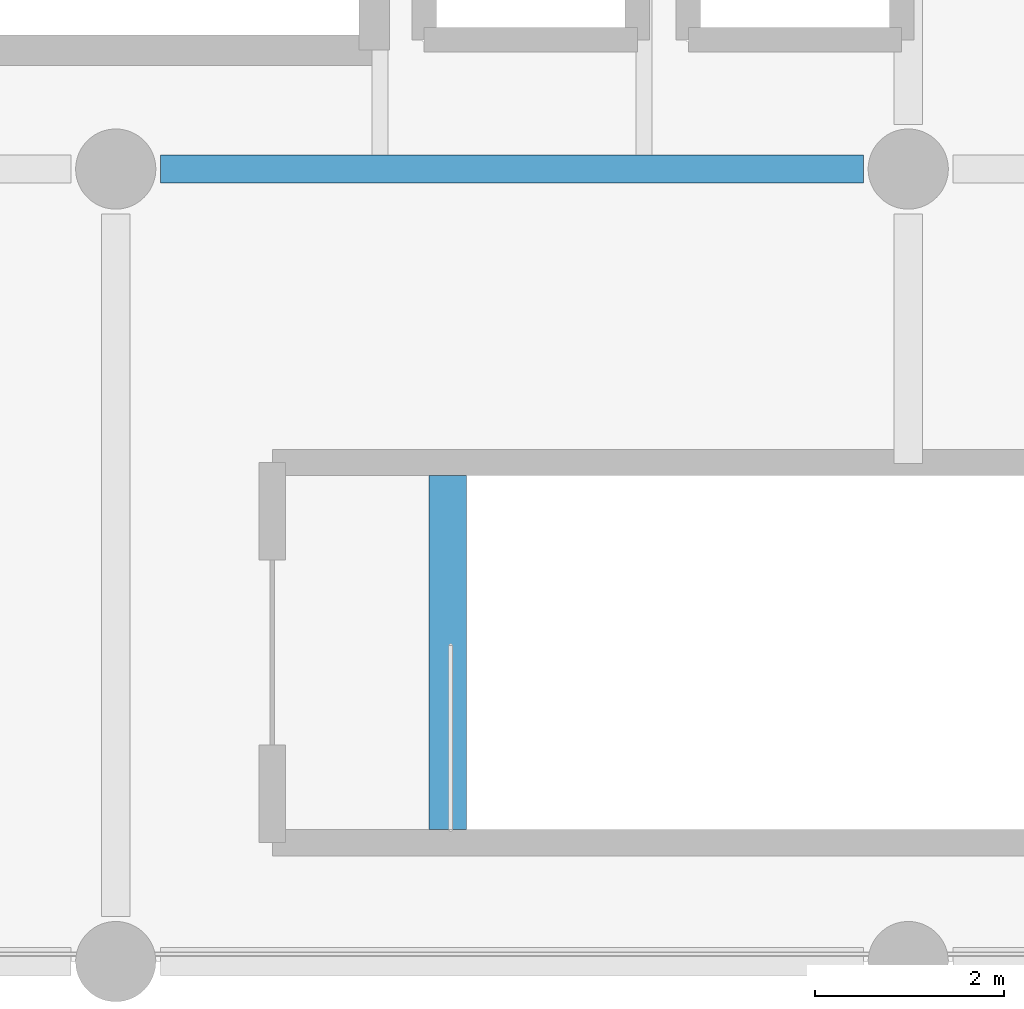
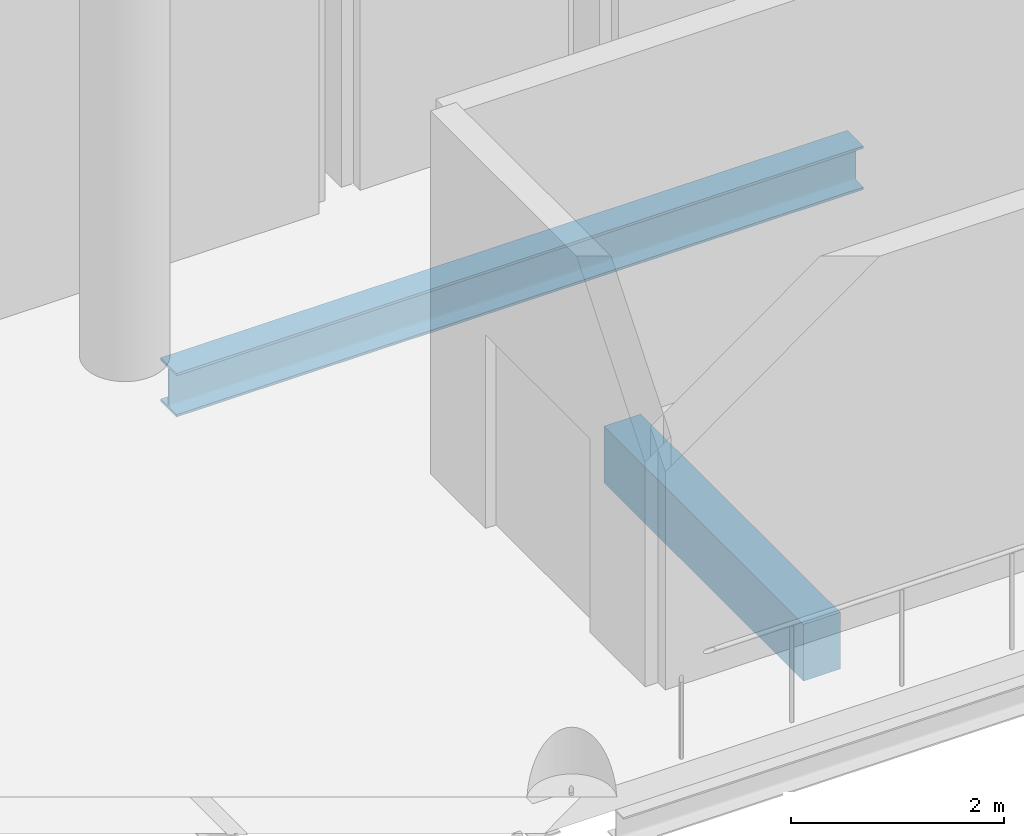
# One storey, part 28 of 177: 2 beams.
"""IFC4 building model written with IfcOpenShell, lengths in metres."""

from ifc_helpers import new_model, si_unit, direction, frame, origin, origin_2d, place, context, subcontext, project, spatial, rectangle, i_section, extrude, material, material_profile, profile_set, type_object, element, save


model = new_model("IFC4")

# Units and contexts
model_context = context("Model", 3, precision=1e-05, world=origin(), true_north=direction((0.0, 1.0)))
body_context = subcontext(model_context, "Body", "Model", "MODEL_VIEW")
ifc_project = project(units=[si_unit("LENGTHUNIT", "METRE"), si_unit("AREAUNIT", "SQUARE_METRE"), si_unit("VOLUMEUNIT", "CUBIC_METRE"), si_unit("PLANEANGLEUNIT", "RADIAN"), si_unit("MASSUNIT", "GRAM", prefix="KILO"), si_unit("THERMODYNAMICTEMPERATUREUNIT", "KELVIN"), si_unit("POWERUNIT", "WATT")], contexts=[model_context])

# Site, building, storey
site_placement = place(None, origin())
site = spatial("IfcSite", under=ifc_project, at=site_placement, CompositionType="ELEMENT")
building_placement = place(site_placement, origin())
building = spatial("IfcBuilding", under=site, at=building_placement, Name="Mavoryth Pier Ferry Terminal", CompositionType="ELEMENT")
storey_placement = place(building_placement, frame((0.0, 0.0, 5.43994140625)))
storey = spatial("IfcBuildingStorey", under=building, at=storey_placement, Name="L01", CompositionType="ELEMENT", Elevation=5.43994140625)

# Beams
ifc_material_1 = material(Name="Steel S355J2", Category="steel")
ifc_material_profile_1 = material_profile(ifc_material_1, i_section(OverallWidth=0.300048828125, OverallDepth=0.5, WebThickness=0.014404296875, FlangeThickness=0.028076171875, FilletRadius=0.027099609375, at=origin_2d()), Name="HEB 500", Category="steel")
ifc_profile_set_1 = profile_set([ifc_material_profile_1], Name="Steel S355J2 - HEB 500")
beam_type_1 = type_object("IfcBeamType", Name="Beam-Steel-HEB500", PredefinedType="BEAM", material=ifc_profile_set_1)
beam_1_placement = place(storey_placement, frame((8.875, 55.60009765625, -0.530029296875), z_axis=(1.0, 0.0, 0.0), x_axis=(0.0, 1.0, 0.0)))
element("IfcBeam", 1, at=beam_1_placement, inside=storey, type_object=beam_type_1, Name="Beam B01-SB01-0053", PredefinedType="BEAM", context=body_context, shape_type="SweptSolid", body=[
    extrude(i_section(OverallWidth=0.300048828125, OverallDepth=0.5, WebThickness=0.014404296875, FlangeThickness=0.028076171875, FilletRadius=0.027099609375, at=origin_2d()), origin(), (0.0, 0.0, 1.0), 7.449951171875),
])
ifc_material_2 = material(Name="Concrete C35/45", Category="concrete")
ifc_material_profile_2 = material_profile(ifc_material_2, rectangle(XDim=0.39990234375, YDim=0.64990234375, at=origin_2d()), Name="RC 400x650", Category="concrete")
ifc_profile_set_2 = profile_set([ifc_material_profile_2], Name="Concrete C35/45 - RC 400x650")
beam_type_2 = type_object("IfcBeamType", Name="Girder-RC-400x650", PredefinedType="BEAM", material=ifc_profile_set_2)
beam_2_placement = place(storey_placement, frame((11.919921875, 48.60009765625, -0.324951171875), z_axis=(0.0, 1.0, 0.0), x_axis=(-1.0, 0.0, 0.0)))
element("IfcBeam", 2, at=beam_2_placement, inside=storey, type_object=beam_type_2, Name="Beam B01-BG05-1592", PredefinedType="BEAM", context=body_context, shape_type="SweptSolid", body=[
    extrude(rectangle(XDim=0.39990234375, YDim=0.64990234375, at=origin_2d()), origin(), (0.0, 0.0, 1.0), 3.75),
])

save(model, "model.ifc")
